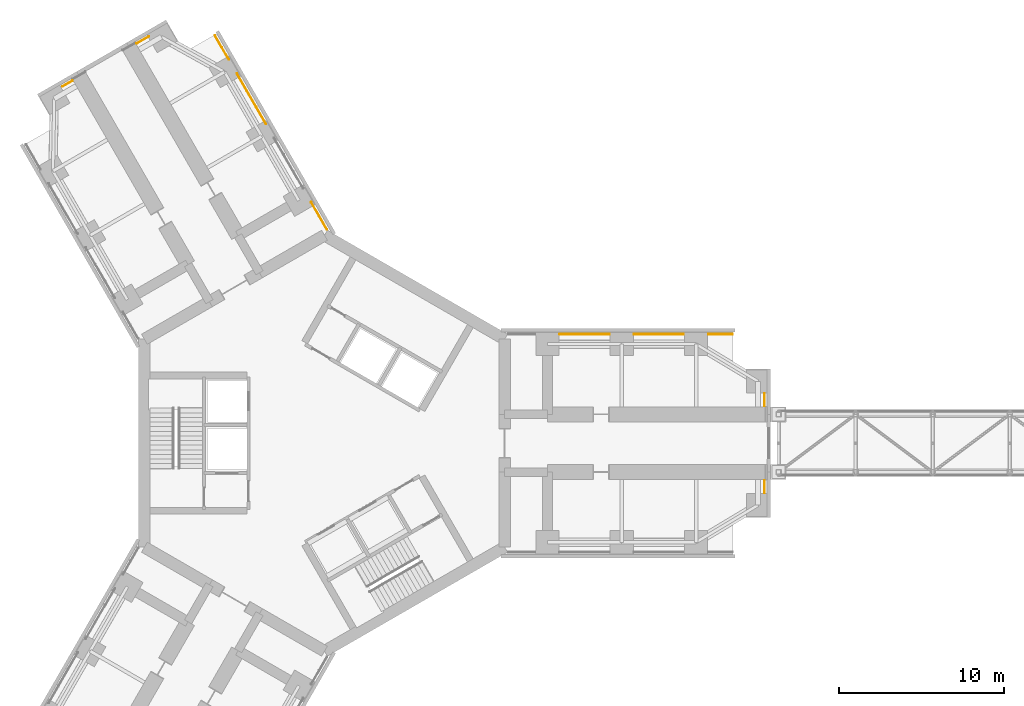
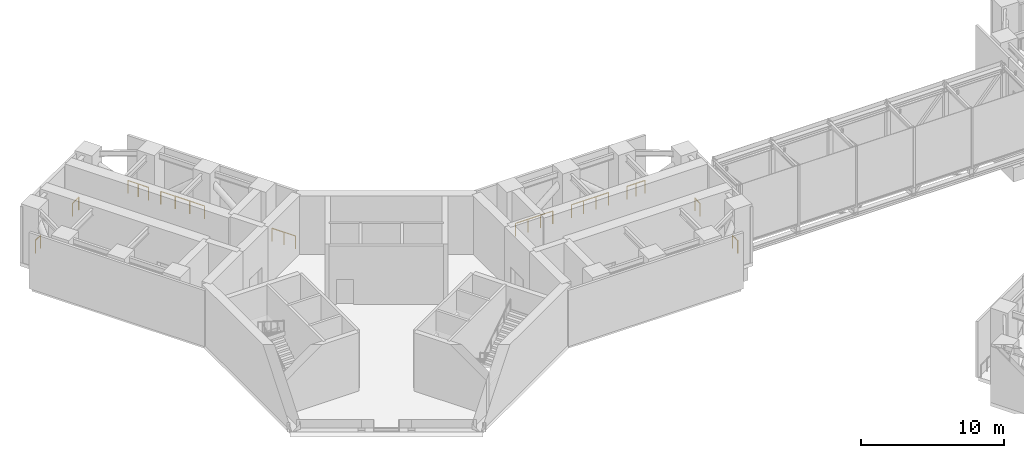
# One storey, part 16 of 17: 10 railings.
"""IFC4 building model written with IfcOpenShell, lengths in metres."""

import ifcopenshell
import ifcopenshell.guid

model = None  # the IFC model being written
_history = None  # IfcOwnerHistory: only IFC2X3 demands one
_inside = {}  # id of a spatial element -> (the spatial element, [elements in it])
_under = {}  # id of a project, library or spatial element -> (it, [spatial elements below it])
_declared = {}  # id of a project -> (the project, [libraries it declares])
_typed = {}  # id of a type object -> (the type object, [elements of that type])
_made_of = {}  # id of a material, layer set ... -> (it, [elements and type objects made of it])


def new_model(schema):
    """Start an empty IFC model of exactly this schema.

    Asked for "IFC4X3", IfcOpenShell would pick the latest addendum, in which some entities
    have other attributes; the version numbers below select the first issue.
    IFC2X3 requires an IfcOwnerHistory on every rooted entity: one is made here for all.
    """
    global model, _history
    if schema == "IFC4X3":
        model = ifcopenshell.file(schema_version=(4, 3, 0, 0))
    else:
        model = ifcopenshell.file(schema=schema)
    _inside.clear()
    _under.clear()
    _declared.clear()
    _typed.clear()
    _made_of.clear()
    _history = None
    if model.schema == "IFC2X3":
        org = make("IfcOrganization", Name="unknown")
        user = make(
            "IfcPersonAndOrganization",
            ThePerson=make("IfcPerson", FamilyName="unknown"),
            TheOrganization=org,
        )
        app = make(
            "IfcApplication",
            ApplicationDeveloper=org,
            Version="unknown",
            ApplicationFullName="unknown",
            ApplicationIdentifier="unknown",
        )
        _history = make(
            "IfcOwnerHistory",
            OwningUser=user,
            OwningApplication=app,
            ChangeAction="ADDED",
            CreationDate=0,
        )
    return model


def make(cls, **values):
    """One entity of the class cls with the attributes given. An attribute that is None is left unset."""
    return model.create_entity(
        cls, **{name: value for name, value in values.items() if value is not None}
    )


def rooted(cls, **values):
    """An entity with a GlobalId (a new one), such as an element, a storey or a relation."""
    return make(cls, GlobalId=ifcopenshell.guid.new(), OwnerHistory=_history, **values)


def si_unit(unit_type, name, prefix=None):
    """IfcSIUnit, for example si_unit("LENGTHUNIT", "METRE", prefix="MILLI")."""
    return make("IfcSIUnit", UnitType=unit_type, Prefix=prefix, Name=name)


def assignment(units):
    """IfcUnitAssignment: the units of a project."""
    return None if units is None else make("IfcUnitAssignment", Units=units)


def point(xyz):
    """IfcCartesianPoint."""
    return None if xyz is None else make("IfcCartesianPoint", Coordinates=xyz)


def direction(xyz):
    """IfcDirection."""
    return None if xyz is None else make("IfcDirection", DirectionRatios=xyz)


def frame(location, z_axis=None, x_axis=None):
    """IfcAxis2Placement3D, a coordinate frame: its origin and axes. An axis left out is left unset."""
    return make(
        "IfcAxis2Placement3D",
        Location=point(location),
        Axis=direction(z_axis),
        RefDirection=direction(x_axis),
    )


def frame_2d(location, x_axis=None):
    """IfcAxis2Placement2D, a coordinate frame in the plane: its origin and x axis."""
    return make(
        "IfcAxis2Placement2D", Location=point(location), RefDirection=direction(x_axis)
    )


def origin():
    """The frame at (0, 0, 0) with its axes left unset."""
    return frame((0.0, 0.0, 0.0))


def origin_2d():
    """The frame at (0, 0) in the plane with its x axis left unset."""
    return frame_2d((0.0, 0.0))


def place(relative_to, where):
    """IfcLocalPlacement: puts the frame where relative to a parent placement (None: the world)."""
    return make(
        "IfcLocalPlacement", PlacementRelTo=relative_to, RelativePlacement=where
    )


def context(
    kind, dimensions, precision=None, world=None, true_north=None, identifier=None
):
    """IfcGeometricRepresentationContext, for example the 3D "Model" context."""
    return make(
        "IfcGeometricRepresentationContext",
        ContextIdentifier=identifier,
        ContextType=kind,
        CoordinateSpaceDimension=dimensions,
        Precision=precision,
        WorldCoordinateSystem=world,
        TrueNorth=true_north,
    )


def subcontext(parent, identifier, kind, view, scale=None):
    """IfcGeometricRepresentationSubContext, for example "Body" below "Model"."""
    return make(
        "IfcGeometricRepresentationSubContext",
        ContextIdentifier=identifier,
        ContextType=kind,
        ParentContext=parent,
        TargetScale=scale,
        TargetView=view,
    )


def project(units=None, contexts=None):
    """IfcProject with its units and contexts."""
    return rooted(
        "IfcProject",
        Name="project",
        RepresentationContexts=contexts,
        UnitsInContext=assignment(units),
    )


def spatial(cls, under=None, at=None, **own):
    """A site, building, storey or space (cls), placed at a placement, below another one or the project."""
    s = rooted(cls, ObjectPlacement=at, **own)
    if under is not None:
        _under.setdefault(under.id(), (under, []))[1].append(s)
    return s


def profile(cls, at=None, kind="AREA", **sizes):
    """A parametric profile (cls). Its sizes go by their IFC names, for example OverallWidth=200.0."""
    return make(cls, ProfileType=kind, Position=at, **sizes)


def circle(**sizes):
    """IfcCircleProfileDef."""
    return profile("IfcCircleProfileDef", **sizes)


def extrude(swept, where, along, depth):
    """IfcExtrudedAreaSolid: the profile swept, set in the frame where, extruded along a direction by depth."""
    return make(
        "IfcExtrudedAreaSolid",
        SweptArea=swept,
        Position=where,
        ExtrudedDirection=direction(along),
        Depth=depth,
    )


def shape(context_of_items, identifier, shape_type, items):
    """IfcShapeRepresentation: the items that make up one representation, for example the "Body"."""
    return make(
        "IfcShapeRepresentation",
        ContextOfItems=context_of_items,
        RepresentationIdentifier=identifier,
        RepresentationType=shape_type,
        Items=items,
    )


def material(Name=None, Category=None):
    """IfcMaterial."""
    return make("IfcMaterial", Name=Name, Category=Category)


def made_of(thing, what):
    """Note that an element or type object is made of a material, layer set ...; save() writes the relation."""
    if what is not None:
        _made_of.setdefault(what.id(), (what, []))[1].append(thing)
    return thing


def type_object(cls, material=None, **own):
    """A type object (cls), such as IfcWallType, which elements share."""
    return made_of(rooted(cls, **own), material)


def element(
    cls,
    number,
    at=None,
    inside=None,
    cuts=None,
    type_object=None,
    material=None,
    context=None,
    identifier="Body",
    shape_type=None,
    held_by="IfcProductDefinitionShape",
    body=None,
    shapes=None,
    **own,
):
    """One element of the class cls, such as IfcWall. Its Tag is "e" and its number.

    at: its placement. inside: the storey or other place that contains it. cuts: it is an
    opening in that element (IfcRelVoidsElement). A single representation is given by context,
    identifier, shape_type and body (its items); several are given by shapes. held_by: the class
    of the entity that holds the representations. save() writes the other relations.
    """
    e = rooted(cls, Tag="e%d" % number, ObjectPlacement=at, **own)
    if body is not None:
        shapes = [shape(context, identifier, shape_type, body)]
    if shapes is not None:
        e.Representation = make(held_by, Representations=shapes)
    if inside is not None:
        _inside.setdefault(inside.id(), (inside, []))[1].append(e)
    if cuts is not None:
        rooted(
            "IfcRelVoidsElement", RelatingBuildingElement=cuts, RelatedOpeningElement=e
        )
    if type_object is not None:
        _typed.setdefault(type_object.id(), (type_object, []))[1].append(e)
    return made_of(e, material)


def aggregate(whole, parts):
    """IfcRelAggregates: a whole, such as a stair, and the parts it consists of."""
    return rooted("IfcRelAggregates", RelatingObject=whole, RelatedObjects=parts)


def save(model, path):
    """Write the relations noted so far, then the file.

    IfcRelAggregates (storeys below a building ...), IfcRelContainedInSpatialStructure (elements
    in a storey), IfcRelDefinesByType, IfcRelAssociatesMaterial and IfcRelDeclares: one each for
    every whole, place, type object, material and project.
    """
    for whole, parts in _under.values():
        aggregate(whole, parts)
    for where, things in _inside.values():
        rooted(
            "IfcRelContainedInSpatialStructure",
            RelatedElements=things,
            RelatingStructure=where,
        )
    for kind, things in _typed.values():
        rooted("IfcRelDefinesByType", RelatedObjects=things, RelatingType=kind)
    for what, things in _made_of.values():
        rooted("IfcRelAssociatesMaterial", RelatedObjects=things, RelatingMaterial=what)
    for by, libraries in _declared.values():
        rooted("IfcRelDeclares", RelatingContext=by, RelatedDefinitions=libraries)
    model.write(path)


model = new_model("IFC4")

# Units and contexts
model_context = context("Model", 3, precision=1e-05, world=origin(), true_north=direction((0.0, 1.0)))
body_context = subcontext(model_context, "Body", "Model", "MODEL_VIEW")
ifc_project = project(units=[si_unit("LENGTHUNIT", "METRE"), si_unit("AREAUNIT", "SQUARE_METRE"), si_unit("VOLUMEUNIT", "CUBIC_METRE"), si_unit("PLANEANGLEUNIT", "RADIAN"), si_unit("MASSUNIT", "GRAM", prefix="KILO")], contexts=[model_context])

# Site, building, storey
site_placement = place(None, origin())
site = spatial("IfcSite", under=ifc_project, at=site_placement, CompositionType="ELEMENT")
building_placement = place(site_placement, origin())
building = spatial("IfcBuilding", under=site, at=building_placement, Name="Upepo Twin Towers", CompositionType="ELEMENT")
storey_placement = place(building_placement, frame((0.0, 0.0, 92.5)))
storey = spatial("IfcBuildingStorey", under=building, at=storey_placement, Name="L22", CompositionType="ELEMENT", Elevation=92.5)

# Railings
ifc_material = material(Name="Stainless steel and glass", Category="steel")
railing_type = type_object("IfcRailingType", Name="Guard 1100", PredefinedType="GUARDRAIL", material=ifc_material)
for number, where, name in (
    (1, (14.25, 6.60009765625, 0.0), "T1 L22 open floor guard"),
    (2, (18.75, 6.60009765625, 0.0), "T1 L22 open floor guard"),
):
    element("IfcRailing", number, at=place(storey_placement, frame(where)), inside=storey, type_object=railing_type, Name=name, PredefinedType="GUARDRAIL", context=body_context, shape_type="SweptSolid", body=[
        extrude(circle(Radius=0.02392578125, at=origin_2d()), frame((0.0, 0.0, 1.076171875), z_axis=(1.0, 0.0, 0.0), x_axis=(0.0, 1.0, 0.0)), (0.0, 0.0, 1.0), 3.0),
        extrude(circle(Radius=0.02099609375, at=origin_2d()), origin(), (0.0, 0.0, 1.0), 1.052001953125),
        extrude(circle(Radius=0.02099609375, at=origin_2d()), frame((1.0, 0.0, 0.0)), (0.0, 0.0, 1.0), 1.052001953125),
        extrude(circle(Radius=0.02099609375, at=origin_2d()), frame((2.0, 0.0, 0.0)), (0.0, 0.0, 1.0), 1.052001953125),
        extrude(circle(Radius=0.02099609375, at=origin_2d()), frame((3.0, 0.0, 0.0)), (0.0, 0.0, 1.0), 1.052001953125),
    ])
railing_1_placement = place(storey_placement, frame((23.25, 6.60009765625, 0.0)))
element("IfcRailing", 3, at=railing_1_placement, inside=storey, type_object=railing_type, Name="T1 L22 open floor guard", PredefinedType="GUARDRAIL", context=body_context, shape_type="SweptSolid", body=[
    extrude(circle(Radius=0.02392578125, at=origin_2d()), frame((0.0, 0.0, 1.076171875), z_axis=(1.0, 0.0, 0.0), x_axis=(0.0, 1.0, 0.0)), (0.0, 0.0, 1.0), 1.449951171875),
    extrude(circle(Radius=0.02099609375, at=origin_2d()), origin(), (0.0, 0.0, 1.0), 1.052001953125),
    extrude(circle(Radius=0.02099609375, at=origin_2d()), frame((0.72509765625, 0.0, 0.0)), (0.0, 0.0, 1.0), 1.052001953125),
    extrude(circle(Radius=0.02099609375, at=origin_2d()), frame((1.449951171875, 0.0, 0.0)), (0.0, 0.0, 1.0), 1.052001953125),
])
for number, where, name in (
    (4, (26.64990234375, -3.0, 0.0), "T1 L22 open floor guard"),
    (5, (26.64990234375, 2.25, 0.0), "T1 L22 open floor guard"),
):
    element("IfcRailing", number, at=place(storey_placement, frame(where)), inside=storey, type_object=railing_type, Name=name, PredefinedType="GUARDRAIL", context=body_context, shape_type="SweptSolid", body=[
        extrude(circle(Radius=0.02392578125, at=origin_2d()), frame((0.0, 0.0, 1.076171875), z_axis=(0.0, 1.0, 0.0), x_axis=(-1.0, 0.0, 0.0)), (0.0, 0.0, 1.0), 0.75),
        extrude(circle(Radius=0.02099609375, at=origin_2d()), origin(), (0.0, 0.0, 1.0), 1.052001953125),
        extrude(circle(Radius=0.02099609375, at=origin_2d()), frame((0.0, 0.75, 0.0)), (0.0, 0.0, 1.0), 1.052001953125),
    ])
railing_2_placement = place(storey_placement, frame((-6.63427734375, 24.69091796875, 0.0)))
element("IfcRailing", 6, at=railing_2_placement, inside=storey, type_object=railing_type, Name="T1 L22 open floor guard", PredefinedType="GUARDRAIL", context=body_context, shape_type="SweptSolid", body=[
    extrude(circle(Radius=0.02392578125, at=origin_2d()), frame((0.0, 0.0, 1.076171875), z_axis=(0.500045221889, -0.865999293341, 0.0), x_axis=(0.865999293341, 0.500045221889, 0.0)), (0.0, 0.0, 1.0), 1.680419921875),
    extrude(circle(Radius=0.02099609375, at=origin_2d()), origin(), (0.0, 0.0, 1.0), 1.052001953125),
    extrude(circle(Radius=0.02099609375, at=origin_2d()), frame((0.420166015625, -0.7275390625, 0.0)), (0.0, 0.0, 1.0), 1.052001953125),
    extrude(circle(Radius=0.02099609375, at=origin_2d()), frame((0.84033203125, -1.455322265625, 0.0)), (0.0, 0.0, 1.0), 1.052001953125),
])
railing_3_placement = place(storey_placement, frame((-5.303955078125, 22.386474609375, 0.0)))
element("IfcRailing", 7, at=railing_3_placement, inside=storey, type_object=railing_type, Name="T1 L22 open floor guard", PredefinedType="GUARDRAIL", context=body_context, shape_type="SweptSolid", body=[
    extrude(circle(Radius=0.02392578125, at=origin_2d()), frame((0.0, 0.0, 1.076171875), z_axis=(0.500040675311, -0.866001918609, 0.0), x_axis=(0.866001918609, 0.500040675311, 0.0)), (0.0, 0.0, 1.0), 3.519775390625),
    extrude(circle(Radius=0.02099609375, at=origin_2d()), origin(), (0.0, 0.0, 1.0), 1.052001953125),
    extrude(circle(Radius=0.02099609375, at=origin_2d()), frame((0.586669921875, -1.01611328125, 0.0)), (0.0, 0.0, 1.0), 1.052001953125),
    extrude(circle(Radius=0.02099609375, at=origin_2d()), frame((1.17333984375, -2.031982421875, 0.0)), (0.0, 0.0, 1.0), 1.052001953125),
    extrude(circle(Radius=0.02099609375, at=origin_2d()), frame((1.760009765625, -3.048095703125, 0.0)), (0.0, 0.0, 1.0), 1.052001953125),
])
railing_4_placement = place(storey_placement, frame((-0.803955078125, 14.59228515625, 0.0)))
element("IfcRailing", 8, at=railing_4_placement, inside=storey, type_object=railing_type, Name="T1 L22 open floor guard", PredefinedType="GUARDRAIL", context=body_context, shape_type="SweptSolid", body=[
    extrude(circle(Radius=0.02392578125, at=origin_2d()), frame((0.0, 0.0, 1.076171875), z_axis=(0.500052647041, -0.865995005868, 0.0), x_axis=(0.865995005868, 0.500052647041, 0.0)), (0.0, 0.0, 1.0), 1.898681640625),
    extrude(circle(Radius=0.02099609375, at=origin_2d()), origin(), (0.0, 0.0, 1.0), 1.052001953125),
    extrude(circle(Radius=0.02099609375, at=origin_2d()), frame((0.474609375, -0.822265625, 0.0)), (0.0, 0.0, 1.0), 1.052001953125),
    extrude(circle(Radius=0.02099609375, at=origin_2d()), frame((0.949462890625, -1.644287109375, 0.0)), (0.0, 0.0, 1.0), 1.052001953125),
])
railing_5_placement = place(storey_placement, frame((-10.62744140625, 24.636962890625, 0.0)))
element("IfcRailing", 9, at=railing_5_placement, inside=storey, type_object=railing_type, Name="T1 L22 open floor guard", PredefinedType="GUARDRAIL", context=body_context, shape_type="SweptSolid", body=[
    extrude(circle(Radius=0.02392578125, at=origin_2d()), frame((0.0, 0.0, 1.076171875), z_axis=(-0.866063370586, -0.499934233803, 0.0), x_axis=(0.499934233803, -0.866063370586, 0.0)), (0.0, 0.0, 1.0), 0.86474609375),
    extrude(circle(Radius=0.02099609375, at=origin_2d()), origin(), (0.0, 0.0, 1.0), 1.052001953125),
    extrude(circle(Radius=0.02099609375, at=origin_2d()), frame((-0.7490234375, -0.432373046875, 0.0)), (0.0, 0.0, 1.0), 1.052001953125),
])
railing_6_placement = place(storey_placement, frame((-15.2734375, 21.95458984375, 0.0)))
element("IfcRailing", 10, at=railing_6_placement, inside=storey, type_object=railing_type, Name="T1 L22 open floor guard", PredefinedType="GUARDRAIL", context=body_context, shape_type="SweptSolid", body=[
    extrude(circle(Radius=0.02392578125, at=origin_2d()), frame((0.0, 0.0, 1.076171875), z_axis=(-0.866044773228, -0.499966449638, 0.0), x_axis=(0.499966449638, -0.866044773228, 0.0)), (0.0, 0.0, 1.0), 0.69287109375),
    extrude(circle(Radius=0.02099609375, at=origin_2d()), origin(), (0.0, 0.0, 1.0), 1.052001953125),
    extrude(circle(Radius=0.02099609375, at=origin_2d()), frame((-0.60009765625, -0.346435546875, 0.0)), (0.0, 0.0, 1.0), 1.052001953125),
])

save(model, "model.ifc")
